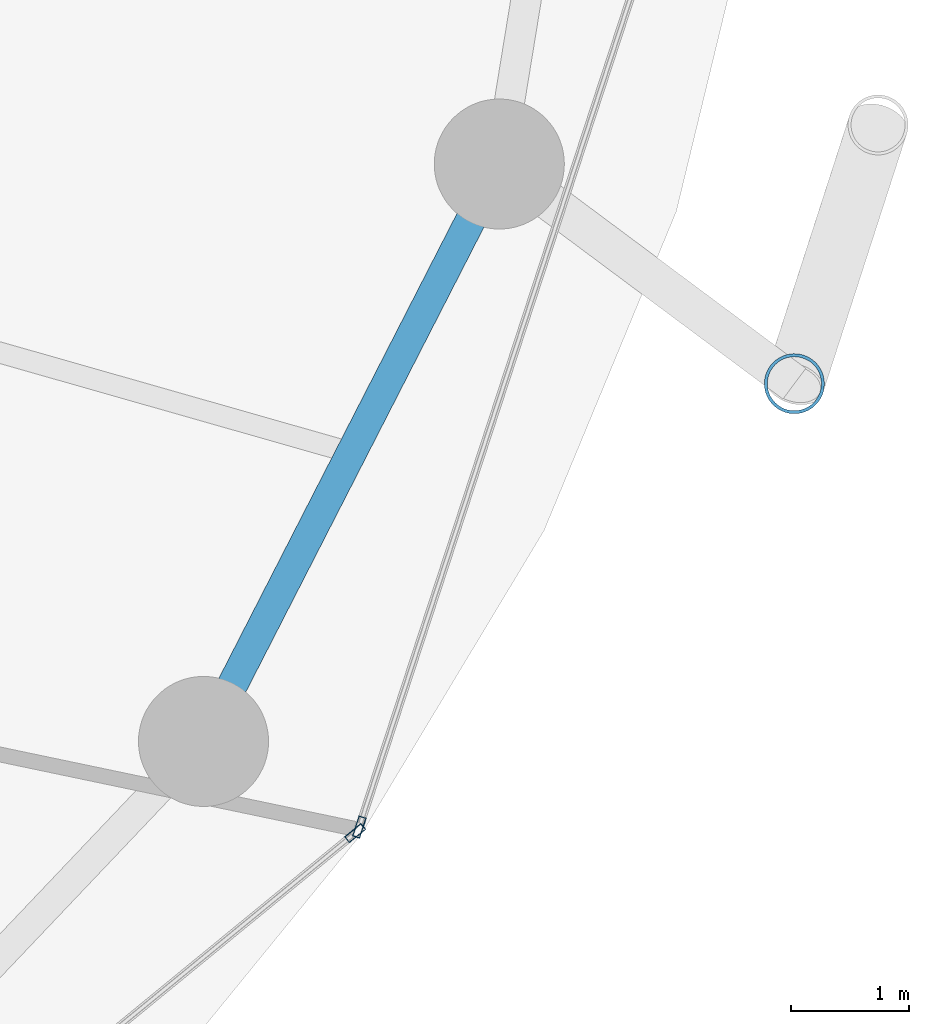
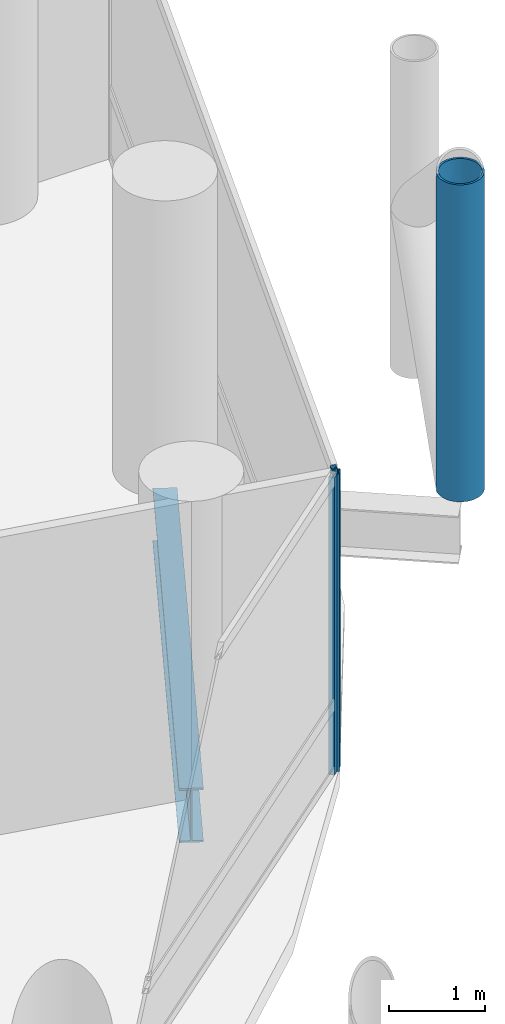
# One storey, part 10 of 24: 3 members, 1 beam, 2 elements without a shape of their own.
"""IFC4 building model written with IfcOpenShell, lengths in metres."""

import ifcopenshell
import ifcopenshell.guid

model = None  # the IFC model being written
_history = None  # IfcOwnerHistory: only IFC2X3 demands one
_inside = {}  # id of a spatial element -> (the spatial element, [elements in it])
_under = {}  # id of a project, library or spatial element -> (it, [spatial elements below it])
_declared = {}  # id of a project -> (the project, [libraries it declares])
_typed = {}  # id of a type object -> (the type object, [elements of that type])
_made_of = {}  # id of a material, layer set ... -> (it, [elements and type objects made of it])


def new_model(schema):
    """Start an empty IFC model of exactly this schema.

    Asked for "IFC4X3", IfcOpenShell would pick the latest addendum, in which some entities
    have other attributes; the version numbers below select the first issue.
    IFC2X3 requires an IfcOwnerHistory on every rooted entity: one is made here for all.
    """
    global model, _history
    if schema == "IFC4X3":
        model = ifcopenshell.file(schema_version=(4, 3, 0, 0))
    else:
        model = ifcopenshell.file(schema=schema)
    _inside.clear()
    _under.clear()
    _declared.clear()
    _typed.clear()
    _made_of.clear()
    _history = None
    if model.schema == "IFC2X3":
        org = make("IfcOrganization", Name="unknown")
        user = make(
            "IfcPersonAndOrganization",
            ThePerson=make("IfcPerson", FamilyName="unknown"),
            TheOrganization=org,
        )
        app = make(
            "IfcApplication",
            ApplicationDeveloper=org,
            Version="unknown",
            ApplicationFullName="unknown",
            ApplicationIdentifier="unknown",
        )
        _history = make(
            "IfcOwnerHistory",
            OwningUser=user,
            OwningApplication=app,
            ChangeAction="ADDED",
            CreationDate=0,
        )
    return model


def make(cls, **values):
    """One entity of the class cls with the attributes given. An attribute that is None is left unset."""
    return model.create_entity(
        cls, **{name: value for name, value in values.items() if value is not None}
    )


def rooted(cls, **values):
    """An entity with a GlobalId (a new one), such as an element, a storey or a relation."""
    return make(cls, GlobalId=ifcopenshell.guid.new(), OwnerHistory=_history, **values)


def si_unit(unit_type, name, prefix=None):
    """IfcSIUnit, for example si_unit("LENGTHUNIT", "METRE", prefix="MILLI")."""
    return make("IfcSIUnit", UnitType=unit_type, Prefix=prefix, Name=name)


def assignment(units):
    """IfcUnitAssignment: the units of a project."""
    return None if units is None else make("IfcUnitAssignment", Units=units)


def point(xyz):
    """IfcCartesianPoint."""
    return None if xyz is None else make("IfcCartesianPoint", Coordinates=xyz)


def direction(xyz):
    """IfcDirection."""
    return None if xyz is None else make("IfcDirection", DirectionRatios=xyz)


def frame(location, z_axis=None, x_axis=None):
    """IfcAxis2Placement3D, a coordinate frame: its origin and axes. An axis left out is left unset."""
    return make(
        "IfcAxis2Placement3D",
        Location=point(location),
        Axis=direction(z_axis),
        RefDirection=direction(x_axis),
    )


def frame_2d(location, x_axis=None):
    """IfcAxis2Placement2D, a coordinate frame in the plane: its origin and x axis."""
    return make(
        "IfcAxis2Placement2D", Location=point(location), RefDirection=direction(x_axis)
    )


def origin():
    """The frame at (0, 0, 0) with its axes left unset."""
    return frame((0.0, 0.0, 0.0))


def origin_2d():
    """The frame at (0, 0) in the plane with its x axis left unset."""
    return frame_2d((0.0, 0.0))


def place(relative_to, where):
    """IfcLocalPlacement: puts the frame where relative to a parent placement (None: the world)."""
    return make(
        "IfcLocalPlacement", PlacementRelTo=relative_to, RelativePlacement=where
    )


def context(
    kind, dimensions, precision=None, world=None, true_north=None, identifier=None
):
    """IfcGeometricRepresentationContext, for example the 3D "Model" context."""
    return make(
        "IfcGeometricRepresentationContext",
        ContextIdentifier=identifier,
        ContextType=kind,
        CoordinateSpaceDimension=dimensions,
        Precision=precision,
        WorldCoordinateSystem=world,
        TrueNorth=true_north,
    )


def subcontext(parent, identifier, kind, view, scale=None):
    """IfcGeometricRepresentationSubContext, for example "Body" below "Model"."""
    return make(
        "IfcGeometricRepresentationSubContext",
        ContextIdentifier=identifier,
        ContextType=kind,
        ParentContext=parent,
        TargetScale=scale,
        TargetView=view,
    )


def project(units=None, contexts=None):
    """IfcProject with its units and contexts."""
    return rooted(
        "IfcProject",
        Name="project",
        RepresentationContexts=contexts,
        UnitsInContext=assignment(units),
    )


def spatial(cls, under=None, at=None, **own):
    """A site, building, storey or space (cls), placed at a placement, below another one or the project."""
    s = rooted(cls, ObjectPlacement=at, **own)
    if under is not None:
        _under.setdefault(under.id(), (under, []))[1].append(s)
    return s


def profile(cls, at=None, kind="AREA", **sizes):
    """A parametric profile (cls). Its sizes go by their IFC names, for example OverallWidth=200.0."""
    return make(cls, ProfileType=kind, Position=at, **sizes)


def hollow_rectangle(**sizes):
    """IfcRectangleHollowProfileDef."""
    return profile("IfcRectangleHollowProfileDef", **sizes)


def hollow_circle(**sizes):
    """IfcCircleHollowProfileDef."""
    return profile("IfcCircleHollowProfileDef", **sizes)


def i_section(**sizes):
    """IfcIShapeProfileDef."""
    return profile("IfcIShapeProfileDef", **sizes)


def extrude(swept, where, along, depth):
    """IfcExtrudedAreaSolid: the profile swept, set in the frame where, extruded along a direction by depth."""
    return make(
        "IfcExtrudedAreaSolid",
        SweptArea=swept,
        Position=where,
        ExtrudedDirection=direction(along),
        Depth=depth,
    )


def shape(context_of_items, identifier, shape_type, items):
    """IfcShapeRepresentation: the items that make up one representation, for example the "Body"."""
    return make(
        "IfcShapeRepresentation",
        ContextOfItems=context_of_items,
        RepresentationIdentifier=identifier,
        RepresentationType=shape_type,
        Items=items,
    )


def material(Name=None, Category=None):
    """IfcMaterial."""
    return make("IfcMaterial", Name=Name, Category=Category)


def layer(
    of_material, thickness, ventilated=None, Name=None, Category=None, Priority=None
):
    """IfcMaterialLayer: one layer of a wall or slab, of a material (None: an air gap)."""
    return make(
        "IfcMaterialLayer",
        Material=of_material,
        LayerThickness=thickness,
        IsVentilated=ventilated,
        Name=Name,
        Category=Category,
        Priority=Priority,
    )


def layer_set(layers, Name=None):
    """IfcMaterialLayerSet."""
    return make("IfcMaterialLayerSet", MaterialLayers=layers, LayerSetName=Name)


def material_profile(
    of_material, cross_section, Name=None, Category=None, Priority=None
):
    """IfcMaterialProfile: a cross section and its material."""
    return make(
        "IfcMaterialProfile",
        Name=Name,
        Material=of_material,
        Profile=cross_section,
        Priority=Priority,
        Category=Category,
    )


def profile_set(profiles, Name=None, composite=None):
    """IfcMaterialProfileSet."""
    return make(
        "IfcMaterialProfileSet",
        Name=Name,
        MaterialProfiles=profiles,
        CompositeProfile=composite,
    )


def made_of(thing, what):
    """Note that an element or type object is made of a material, layer set ...; save() writes the relation."""
    if what is not None:
        _made_of.setdefault(what.id(), (what, []))[1].append(thing)
    return thing


def type_object(cls, material=None, **own):
    """A type object (cls), such as IfcWallType, which elements share."""
    return made_of(rooted(cls, **own), material)


def element(
    cls,
    number,
    at=None,
    inside=None,
    cuts=None,
    type_object=None,
    material=None,
    context=None,
    identifier="Body",
    shape_type=None,
    held_by="IfcProductDefinitionShape",
    body=None,
    shapes=None,
    **own,
):
    """One element of the class cls, such as IfcWall. Its Tag is "e" and its number.

    at: its placement. inside: the storey or other place that contains it. cuts: it is an
    opening in that element (IfcRelVoidsElement). A single representation is given by context,
    identifier, shape_type and body (its items); several are given by shapes. held_by: the class
    of the entity that holds the representations. save() writes the other relations.
    """
    e = rooted(cls, Tag="e%d" % number, ObjectPlacement=at, **own)
    if body is not None:
        shapes = [shape(context, identifier, shape_type, body)]
    if shapes is not None:
        e.Representation = make(held_by, Representations=shapes)
    if inside is not None:
        _inside.setdefault(inside.id(), (inside, []))[1].append(e)
    if cuts is not None:
        rooted(
            "IfcRelVoidsElement", RelatingBuildingElement=cuts, RelatedOpeningElement=e
        )
    if type_object is not None:
        _typed.setdefault(type_object.id(), (type_object, []))[1].append(e)
    return made_of(e, material)


def aggregate(whole, parts):
    """IfcRelAggregates: a whole, such as a stair, and the parts it consists of."""
    return rooted("IfcRelAggregates", RelatingObject=whole, RelatedObjects=parts)


def save(model, path):
    """Write the relations noted so far, then the file.

    IfcRelAggregates (storeys below a building ...), IfcRelContainedInSpatialStructure (elements
    in a storey), IfcRelDefinesByType, IfcRelAssociatesMaterial and IfcRelDeclares: one each for
    every whole, place, type object, material and project.
    """
    for whole, parts in _under.values():
        aggregate(whole, parts)
    for where, things in _inside.values():
        rooted(
            "IfcRelContainedInSpatialStructure",
            RelatedElements=things,
            RelatingStructure=where,
        )
    for kind, things in _typed.values():
        rooted("IfcRelDefinesByType", RelatedObjects=things, RelatingType=kind)
    for what, things in _made_of.values():
        rooted("IfcRelAssociatesMaterial", RelatedObjects=things, RelatingMaterial=what)
    for by, libraries in _declared.values():
        rooted("IfcRelDeclares", RelatingContext=by, RelatedDefinitions=libraries)
    model.write(path)


model = new_model("IFC4")

# Units and contexts
model_context = context("Model", 3, precision=1e-05, world=origin(), true_north=direction((0.0, 1.0)))
body_context = subcontext(model_context, "Body", "Model", "MODEL_VIEW")
ifc_project = project(units=[si_unit("LENGTHUNIT", "METRE"), si_unit("AREAUNIT", "SQUARE_METRE"), si_unit("VOLUMEUNIT", "CUBIC_METRE"), si_unit("PLANEANGLEUNIT", "RADIAN"), si_unit("MASSUNIT", "GRAM", prefix="KILO")], contexts=[model_context])

# Site, building, storey
site_placement = place(None, origin())
site = spatial("IfcSite", under=ifc_project, at=site_placement, CompositionType="ELEMENT")
building_placement = place(site_placement, origin())
building = spatial("IfcBuilding", under=site, at=building_placement, Name="Nuhasar Tower", CompositionType="ELEMENT")
storey_placement = place(building_placement, frame((0.0, 0.0, 89.85009765625)))
storey = spatial("IfcBuildingStorey", under=building, at=storey_placement, Name="L21", CompositionType="ELEMENT", Elevation=89.85009765625)

# Beam
ifc_material_1 = material(Name="Steel S355", Category="steel")
ifc_material_profile_1 = material_profile(ifc_material_1, i_section(OverallWidth=0.256103515625, OverallDepth=0.693115234375, WebThickness=0.014404296875, FlangeThickness=0.023681640625, at=origin_2d()), Name="W27X114")
ifc_profile_set_1 = profile_set([ifc_material_profile_1], Name="Steel S355")
beam_type = type_object("IfcBeamType", Name="BM-RING-W27X114", PredefinedType="SPANDREL", material=ifc_profile_set_1)
beam_placement = place(storey_placement, frame((60.694091796875, 16.675048828125, -0.59716796875), z_axis=(0.455930023905, 0.890015625314, 0.0), x_axis=(-0.890015625314, 0.455930023905, 0.0)))
element("IfcBeam", 1, at=beam_placement, inside=storey, type_object=beam_type, Name="L21 Perimeter Ring Spandrel 23", PredefinedType="SPANDREL", context=body_context, shape_type="SweptSolid", body=[
    extrude(i_section(OverallWidth=0.256103515625, OverallDepth=0.693115234375, WebThickness=0.014404296875, FlangeThickness=0.023681640625, at=origin_2d()), origin(), (0.0, 0.0, 1.0), 5.487548828125),
])

# Curtain wall, member
ifc_material_2 = material(Name="Aluminium 6063-T6", Category="aluminium")
ifc_layer = layer(ifc_material_2, 0.199951171875)
ifc_layer_set = layer_set([ifc_layer], Name="Aluminium 6063-T6")
curtain_wall_type = type_object("IfcCurtainWallType", Name="CW-Z1-OFF", PredefinedType="NOTDEFINED", material=ifc_layer_set)
curtain_wall_1_placement = place(storey_placement, origin())
curtain_wall_1 = element("IfcCurtainWall", 2, at=curtain_wall_1_placement, inside=storey, type_object=curtain_wall_type, Name="L21 Unitised Curtain Wall 11", PredefinedType="NOTDEFINED")
ifc_material_profile_2 = material_profile(ifc_material_2, hollow_rectangle(XDim=0.06494140625, YDim=0.179931640625, WallThickness=0.0048828125, at=origin_2d()), Name="CWM-2")
ifc_profile_set_2 = profile_set([ifc_material_profile_2], Name="Aluminium 6063-T6")
member_type_1 = type_object("IfcMemberType", Name="CW-MUL-S2", PredefinedType="MULLION", material=ifc_profile_set_2)
member_1_placement = place(storey_placement, frame((61.976806640625, 15.8994140625, 0.0), z_axis=(0.0, 0.0, 1.0), x_axis=(-0.633744593376, 0.773542364946, 0.0)))
member_1 = element("IfcMember", 3, at=member_1_placement, type_object=member_type_1, Name="CW-Z1 mullion 2", PredefinedType="MULLION", context=body_context, shape_type="SweptSolid", body=[
    extrude(hollow_rectangle(XDim=0.06494140625, YDim=0.179931640625, WallThickness=0.0048828125, at=origin_2d()), origin(), (0.0, 0.0, 1.0), 3.7998046875),
])
aggregate(curtain_wall_1, [member_1])

curtain_wall_2_placement = place(storey_placement, origin())
curtain_wall_2 = element("IfcCurtainWall", 4, at=curtain_wall_2_placement, inside=storey, type_object=curtain_wall_type, Name="L21 Unitised Curtain Wall 12", PredefinedType="NOTDEFINED")
member_2_placement = place(storey_placement, frame((62.01220703125, 15.950927734375, 0.0), z_axis=(0.0, 0.0, 1.0), x_axis=(-0.950467534571, 0.310823849997, 0.0)))
member_2 = element("IfcMember", 5, at=member_2_placement, type_object=member_type_1, Name="CW-Z1 mullion 1", PredefinedType="MULLION", context=body_context, shape_type="SweptSolid", body=[
    extrude(hollow_rectangle(XDim=0.06494140625, YDim=0.179931640625, WallThickness=0.0048828125, at=origin_2d()), origin(), (0.0, 0.0, 1.0), 3.7998046875),
])
aggregate(curtain_wall_2, [member_2])

# Member
ifc_material_3 = material(Name="Steel S460", Category="steel")
ifc_material_profile_3 = material_profile(ifc_material_3, hollow_circle(Radius=0.25390625, WallThickness=0.025390625, at=origin_2d()), Name="HSS508X25.4")
ifc_profile_set_3 = profile_set([ifc_material_profile_3], Name="Steel S460")
member_type_2 = type_object("IfcMemberType", Name="EXO-BRONZE-508", PredefinedType="BRACE", material=ifc_profile_set_3)
member_3_placement = place(storey_placement, frame((65.69189453125, 19.700927734375, 0.0), z_axis=(0.0, 0.0, 1.0), x_axis=(1.0, 0.0, 0.0)))
element("IfcMember", 6, at=member_3_placement, inside=storey, type_object=member_type_2, Name="L21 Exoskeleton Chord Column EC-12A", PredefinedType="BRACE", context=body_context, shape_type="SweptSolid", body=[
    extrude(hollow_circle(Radius=0.25390625, WallThickness=0.025390625, at=origin_2d()), origin(), (0.0, 0.0, 1.0), 4.0498046875),
])

save(model, "model.ifc")
